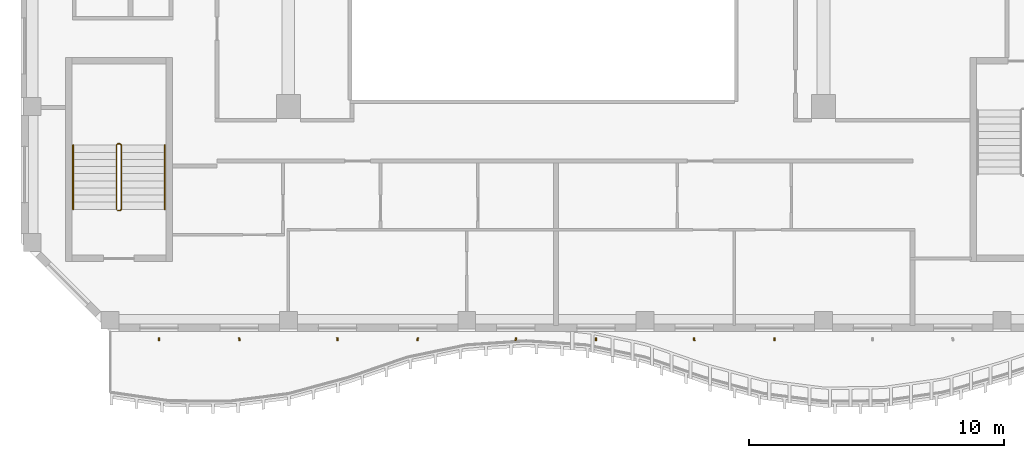
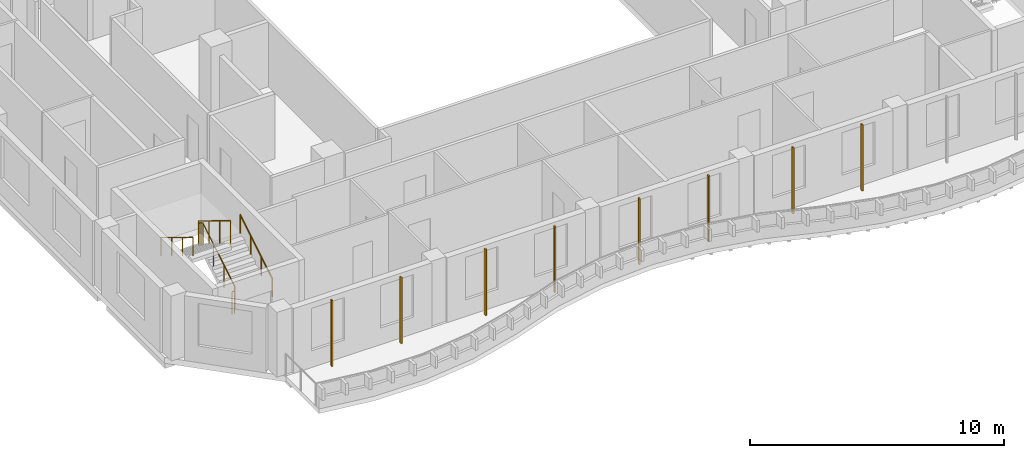
# One storey, part 13 of 18: 8 shading devices, 3 railings.
"""IFC4 building model written with IfcOpenShell, lengths in metres."""

from ifc_helpers import new_model, si_unit, direction, frame, origin, origin_2d, place, context, subcontext, project, spatial, rectangle, circle, extrude, source, transform, mapped, material, material_profile, profile_set, type_object, element, save


model = new_model("IFC4")

# Units and contexts
model_context = context("Model", 3, precision=1e-05, world=origin(), true_north=direction((0.0, 1.0)))
body_context = subcontext(model_context, "Body", "Model", "MODEL_VIEW")
ifc_project = project(units=[si_unit("LENGTHUNIT", "METRE"), si_unit("AREAUNIT", "SQUARE_METRE"), si_unit("VOLUMEUNIT", "CUBIC_METRE"), si_unit("PLANEANGLEUNIT", "RADIAN"), si_unit("MASSUNIT", "GRAM", prefix="KILO")], contexts=[model_context])

# Site, building, storey
site_placement = place(None, origin())
site = spatial("IfcSite", under=ifc_project, at=site_placement, CompositionType="ELEMENT")
building_placement = place(site_placement, origin())
building = spatial("IfcBuilding", under=site, at=building_placement, Name="Kilnfold Tower and Market Hall", CompositionType="ELEMENT")
storey_placement = place(building_placement, frame((0.0, 0.0, 249.199951171875)))
storey = spatial("IfcBuildingStorey", under=building, at=storey_placement, Name="L60", CompositionType="ELEMENT", Elevation=249.199951171875)

# Railings
ifc_material_1 = material(Name="Stainless steel 316", Category="steel")
railing_type_1 = type_object("IfcRailingType", Name="CORE STAIR GUARD 1100", PredefinedType="GUARDRAIL", material=ifc_material_1)
railing_1_placement = place(storey_placement, frame((-15.699951171875, -13.75, 0.0)))
element("IfcRailing", 1, at=railing_1_placement, inside=storey, type_object=railing_type_1, Name="L60 ST3 stair guard 1", PredefinedType="GUARDRAIL", context=body_context, shape_type="SweptSolid", body=[
    extrude(circle(Radius=0.02392578125, at=origin_2d()), frame((0.0, 0.0, 1.076171875), z_axis=(1.0, 0.0, 0.0), x_axis=(0.0, 1.0, 0.0)), (0.0, 0.0, 1.0), 0.099853515625),
    extrude(circle(Radius=0.02392578125, at=origin_2d()), frame((0.099853515625, 0.0, 1.076171875), z_axis=(0.271562723297, 0.271562723297, 0.923313259209), x_axis=(-0.707106781187, 0.707106781187, 0.0)), (0.0, 0.0, 1.0), 0.184326171875),
    extrude(circle(Radius=0.02392578125, at=origin_2d()), frame((0.14990234375, 0.050048828125, 1.24609375), z_axis=(0.0, 0.854821627497, 0.518921945155), x_axis=(-1.0, 0.0, 0.0)), (0.0, 0.0, 1.0), 2.947998046875),
    extrude(circle(Radius=0.02392578125, at=origin_2d()), frame((0.14990234375, 2.570068359375, 2.77587890625), z_axis=(-0.707106781187, 0.707106781187, 0.0), x_axis=(-0.707106781187, -0.707106781187, 0.0)), (0.0, 0.0, 1.0), 0.07080078125),
    extrude(circle(Radius=0.02392578125, at=origin_2d()), frame((0.099853515625, 2.6201171875, 2.77587890625), z_axis=(-1.0, 0.0, 0.0), x_axis=(0.0, -1.0, 0.0)), (0.0, 0.0, 1.0), 0.099853515625),
    extrude(circle(Radius=0.02392578125, at=origin_2d()), frame((0.0, 2.6201171875, 2.77587890625), z_axis=(-0.271562723297, -0.271562723297, 0.923313259209), x_axis=(0.707106781187, -0.707106781187, 0.0)), (0.0, 0.0, 1.0), 0.184326171875),
    extrude(circle(Radius=0.02392578125, at=origin_2d()), frame((-0.050048828125, 2.570068359375, 2.9462890625), z_axis=(0.0, -0.85478489116, 0.518982456201), x_axis=(1.0, 0.0, 0.0)), (0.0, 0.0, 1.0), 2.9482421875),
    extrude(circle(Radius=0.02099609375, at=origin_2d()), origin(), (0.0, 0.0, 1.0), 1.052001953125),
    extrude(circle(Radius=0.02099609375, at=origin_2d()), frame((0.099853515625, 0.0, 0.0)), (0.0, 0.0, 1.0), 1.052001953125),
    extrude(circle(Radius=0.02099609375, at=origin_2d()), frame((0.14990234375, 0.050048828125, 0.170166015625)), (0.0, 0.0, 1.0), 1.052001953125),
    extrude(circle(Radius=0.02099609375, at=origin_2d()), frame((0.14990234375, 0.89013671875, 0.68017578125)), (0.0, 0.0, 1.0), 1.052001953125),
    extrude(circle(Radius=0.02099609375, at=origin_2d()), frame((0.14990234375, 1.72998046875, 1.18994140625)), (0.0, 0.0, 1.0), 1.052001953125),
    extrude(circle(Radius=0.02099609375, at=origin_2d()), frame((0.14990234375, 2.570068359375, 1.699951171875)), (0.0, 0.0, 1.0), 1.052001953125),
    extrude(circle(Radius=0.02099609375, at=origin_2d()), frame((0.099853515625, 2.6201171875, 1.699951171875)), (0.0, 0.0, 1.0), 1.052001953125),
    extrude(circle(Radius=0.02099609375, at=origin_2d()), frame((0.0, 2.6201171875, 1.699951171875)), (0.0, 0.0, 1.0), 1.052001953125),
    extrude(circle(Radius=0.02099609375, at=origin_2d()), frame((-0.050048828125, 2.570068359375, 1.8701171875)), (0.0, 0.0, 1.0), 1.052001953125),
    extrude(circle(Radius=0.02099609375, at=origin_2d()), frame((-0.050048828125, 1.72998046875, 2.380126953125)), (0.0, 0.0, 1.0), 1.052001953125),
    extrude(circle(Radius=0.02099609375, at=origin_2d()), frame((-0.050048828125, 0.89013671875, 2.89013671875)), (0.0, 0.0, 1.0), 1.052001953125),
    extrude(circle(Radius=0.02099609375, at=origin_2d()), frame((-0.050048828125, 0.050048828125, 3.400146484375)), (0.0, 0.0, 1.0), 1.052001953125),
])
ifc_material_2 = material(Name="Stainless steel 316", Category="steel")
railing_type_2 = type_object("IfcRailingType", Name="CORE STAIR HANDRAIL 900", PredefinedType="HANDRAIL", material=ifc_material_2)
railing_2_placement = place(storey_placement, frame((-13.85009765625, -13.699951171875, 0.170166015625)))
element("IfcRailing", 2, at=railing_2_placement, inside=storey, type_object=railing_type_2, Name="L60 ST3 stair handrail 1", PredefinedType="HANDRAIL", context=body_context, shape_type="SweptSolid", body=[
    extrude(circle(Radius=0.02392578125, at=origin_2d()), frame((0.0, 0.0, 0.8759765625), z_axis=(0.0, 0.854821627497, 0.518921945155), x_axis=(-1.0, 0.0, 0.0)), (0.0, 0.0, 1.0), 2.947998046875),
    extrude(circle(Radius=0.02099609375, at=origin_2d()), origin(), (0.0, 0.0, 1.0), 0.851806640625),
    extrude(circle(Radius=0.02099609375, at=origin_2d()), frame((0.0, 0.840087890625, 0.510009765625)), (0.0, 0.0, 1.0), 0.851806640625),
    extrude(circle(Radius=0.02099609375, at=origin_2d()), frame((0.0, 1.679931640625, 1.019775390625)), (0.0, 0.0, 1.0), 0.851806640625),
    extrude(circle(Radius=0.02099609375, at=origin_2d()), frame((0.0, 2.52001953125, 1.52978515625)), (0.0, 0.0, 1.0), 0.851806640625),
])
railing_3_placement = place(storey_placement, frame((-17.449951171875, -11.179931640625, 1.8701171875)))
element("IfcRailing", 3, at=railing_3_placement, inside=storey, type_object=railing_type_2, Name="L60 ST3 stair handrail 2", PredefinedType="HANDRAIL", context=body_context, shape_type="SweptSolid", body=[
    extrude(circle(Radius=0.02392578125, at=origin_2d()), frame((0.0, 0.0, 0.8759765625), z_axis=(0.0, -0.85478489116, 0.518982456201), x_axis=(1.0, 0.0, 0.0)), (0.0, 0.0, 1.0), 2.9482421875),
    extrude(circle(Radius=0.02099609375, at=origin_2d()), origin(), (0.0, 0.0, 1.0), 0.851806640625),
    extrude(circle(Radius=0.02099609375, at=origin_2d()), frame((0.0, -0.840087890625, 0.510009765625)), (0.0, 0.0, 1.0), 0.851806640625),
    extrude(circle(Radius=0.02099609375, at=origin_2d()), frame((0.0, -1.679931640625, 1.02001953125)), (0.0, 0.0, 1.0), 0.851806640625),
    extrude(circle(Radius=0.02099609375, at=origin_2d()), frame((0.0, -2.52001953125, 1.530029296875)), (0.0, 0.0, 1.0), 0.851806640625),
])

# Shading devices
ifc_material_3 = material(Name="Terracotta", Category="masonry")
ifc_material_profile = material_profile(ifc_material_3, rectangle(XDim=0.06005859375, YDim=0.1201171875, at=origin_2d()), Name="BAG 60x120")
ifc_profile_set = profile_set([ifc_material_profile], Name="Terracotta")
shading_device_type = type_object("IfcShadingDeviceType", Name="BAGUETTE", PredefinedType="USERDEFINED", material=ifc_profile_set)
shared_shape = source(origin(), body_context, "Body", "SweptSolid", [
    extrude(rectangle(XDim=0.06005859375, YDim=0.1201171875, at=origin_2d()), origin(), (0.0, 0.0, 1.0), 3.179931640625),
])
for number, where, z_axis, x_axis, name in (
    (4, (-14.074951171875, -18.800048828125, 0.0), (0.0, 0.0, 1.0), (0.994429378608, -0.105404985471, 0.0), "Terracotta baguette L60 S"),
    (5, (-10.925048828125, -18.800048828125, 0.0), (0.0, 0.0, 1.0), (0.997285254215, 0.073635057724, 0.0), "Terracotta baguette L60 S"),
    (6, (-7.074951171875, -18.800048828125, 0.0), (0.0, 0.0, 1.0), (0.994429378608, 0.105404985471, 0.0), "Terracotta baguette L60 S"),
    (7, (-3.925048828125, -18.800048828125, 0.0), (0.0, 0.0, 1.0), (0.997285254215, -0.073635057724, 0.0), "Terracotta baguette L60 S"),
    (8, (-0.074951171875, -18.800048828125, 0.0), (0.0, 0.0, 1.0), (0.994429378608, -0.105404985471, 0.0), "Terracotta baguette L60 S"),
    (9, (3.074951171875, -18.800048828125, 0.0), (0.0, 0.0, 1.0), (0.997285254215, 0.073635057724, 0.0), "Terracotta baguette L60 S"),
    (10, (6.925048828125, -18.800048828125, 0.0), (0.0, 0.0, 1.0), (0.994429378608, 0.105404985471, 0.0), "Terracotta baguette L60 S"),
    (11, (10.074951171875, -18.800048828125, 0.0), (0.0, 0.0, 1.0), (0.997285254215, -0.073635057724, 0.0), "Terracotta baguette L60 S"),
):
    element("IfcShadingDevice", number, at=place(storey_placement, frame(where, z_axis=z_axis, x_axis=x_axis)), inside=storey, type_object=shading_device_type, Name=name, ObjectType="BAGUETTE", PredefinedType="USERDEFINED", context=body_context, shape_type="MappedRepresentation", body=[
        mapped(shared_shape, transform((0.0, 0.0, 0.0))),
    ])

save(model, "model.ifc")
